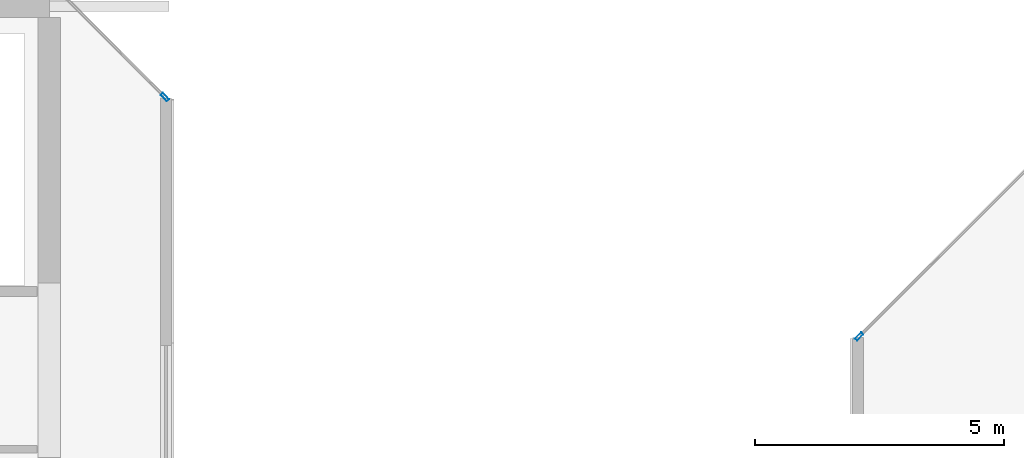
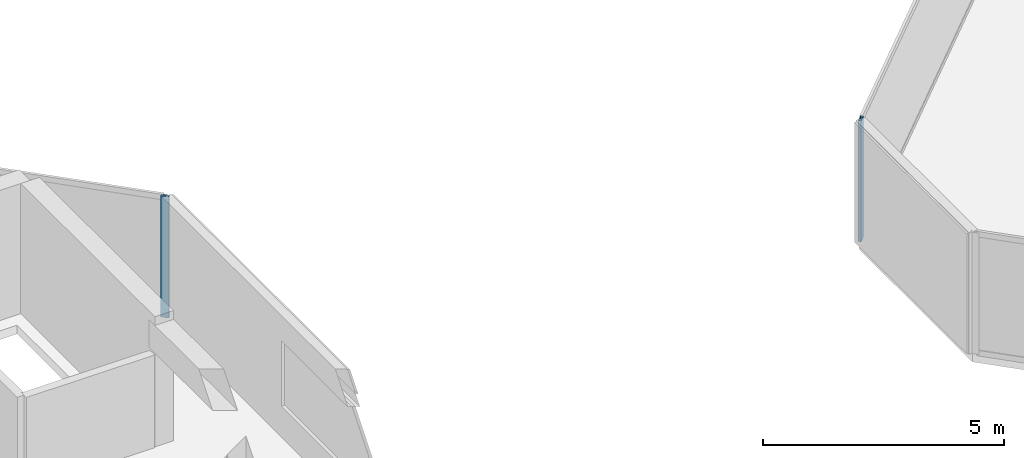
# One storey, part 8 of 28: 2 members, 2 elements without a shape of their own.
"""IFC4 building model written with IfcOpenShell, lengths in metres."""

from ifc_helpers import new_model, si_unit, direction, frame, origin, origin_2d, place, context, subcontext, project, spatial, hollow_rectangle, extrude, material, layer, layer_set, material_profile, profile_set, type_object, element, aggregate, save


model = new_model("IFC4")

# Units and contexts
model_context = context("Model", 3, precision=1e-05, world=origin(), true_north=direction((0.0, 1.0)))
body_context = subcontext(model_context, "Body", "Model", "MODEL_VIEW")
ifc_project = project(units=[si_unit("LENGTHUNIT", "METRE"), si_unit("AREAUNIT", "SQUARE_METRE"), si_unit("VOLUMEUNIT", "CUBIC_METRE"), si_unit("PLANEANGLEUNIT", "RADIAN"), si_unit("MASSUNIT", "GRAM", prefix="KILO")], contexts=[model_context])

# Site, building, storey
site_placement = place(None, origin())
site = spatial("IfcSite", under=ifc_project, at=site_placement, CompositionType="ELEMENT")
building_placement = place(site_placement, origin())
building = spatial("IfcBuilding", under=site, at=building_placement, Name="Tanjung Sevakor Pilgrim Tower", CompositionType="ELEMENT")
storey_placement = place(building_placement, frame((0.0, 0.0, 239.25)))
storey = spatial("IfcBuildingStorey", under=building, at=storey_placement, Name="L67", CompositionType="ELEMENT", Elevation=239.25)

# Curtain wall, member
ifc_material_1 = material(Name="Aluminium 6063-T6 and Low-E Glass", Category="aluminium")
ifc_layer = layer(ifc_material_1, 0.179931640625)
ifc_layer_set = layer_set([ifc_layer], Name="CW-SYS-CHAM")
curtain_wall_type = type_object("IfcCurtainWallType", Name="CW-SYS-CHAM", PredefinedType="NOTDEFINED", material=ifc_layer_set)
curtain_wall_1_placement = place(storey_placement, origin())
curtain_wall_1 = element("IfcCurtainWall", 1, at=curtain_wall_1_placement, inside=storey, type_object=curtain_wall_type, Name="L67 Curtain Wall CW-CHM-L67-WEST-3", PredefinedType="NOTDEFINED")
ifc_material_2 = material(Name="Aluminium 6063-T6", Category="aluminium")
ifc_material_profile = material_profile(ifc_material_2, hollow_rectangle(XDim=0.06494140625, YDim=0.179931640625, WallThickness=0.00390625, at=origin_2d()))
ifc_profile_set = profile_set([ifc_material_profile], Name="Aluminium 6063-T6")
member_type = type_object("IfcMemberType", Name="TYPE-CWM-1", PredefinedType="MULLION", material=ifc_profile_set)
member_1_placement = place(storey_placement, frame((38.317138671875, 40.77734375, 0.0), z_axis=(0.0, 0.0, 1.0), x_axis=(-0.707106781187, -0.707106781187, 0.0)))
member_1 = element("IfcMember", 2, at=member_1_placement, type_object=member_type, Name="CW-CHM mullion 1", PredefinedType="MULLION", context=body_context, shape_type="SweptSolid", body=[
    extrude(hollow_rectangle(XDim=0.06494140625, YDim=0.179931640625, WallThickness=0.00390625, at=origin_2d()), origin(), (0.0, 0.0, 1.0), 3.080078125),
])
aggregate(curtain_wall_1, [member_1])

curtain_wall_2_placement = place(storey_placement, origin())
curtain_wall_2 = element("IfcCurtainWall", 3, at=curtain_wall_2_placement, inside=storey, type_object=curtain_wall_type, Name="L67 Curtain Wall CW-CHM-L67-EAST-5", PredefinedType="NOTDEFINED")
member_2_placement = place(storey_placement, frame((52.23291015625, 35.977294921875, 0.0), z_axis=(0.0, 0.0, 1.0), x_axis=(0.707106781187, -0.707106781187, 0.0)))
member_2 = element("IfcMember", 4, at=member_2_placement, type_object=member_type, Name="CW-CHM mullion 2", PredefinedType="MULLION", context=body_context, shape_type="SweptSolid", body=[
    extrude(hollow_rectangle(XDim=0.06494140625, YDim=0.179931640625, WallThickness=0.00390625, at=origin_2d()), origin(), (0.0, 0.0, 1.0), 3.080078125),
])
aggregate(curtain_wall_2, [member_2])

save(model, "model.ifc")
